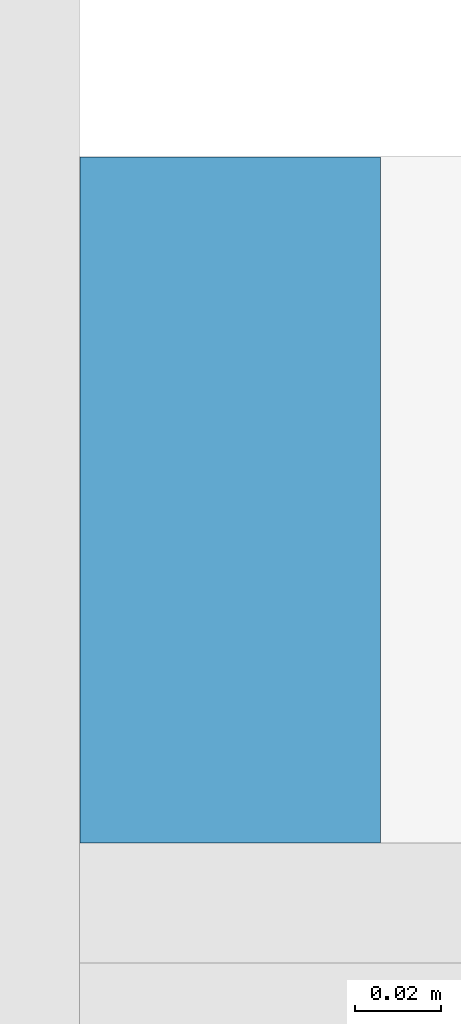
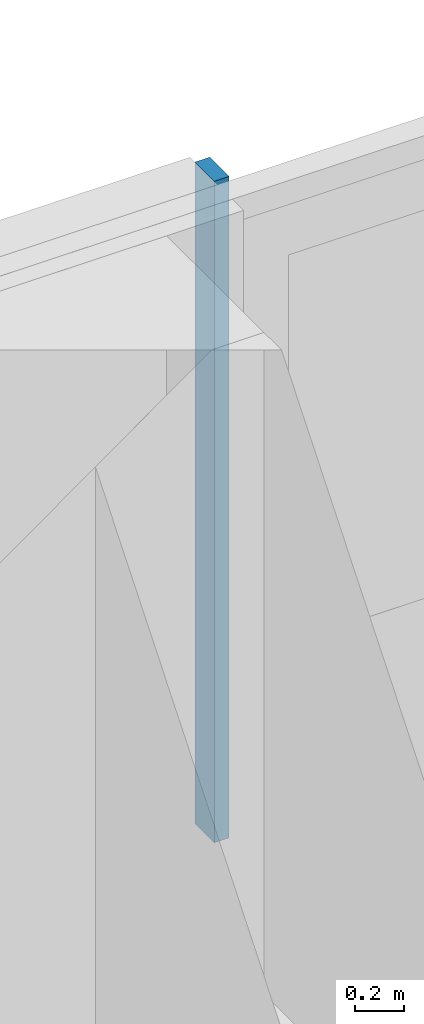
# One storey, part 10 of 29: 1 member, 1 element without a shape of its own.
"""IFC4 building model written with IfcOpenShell, lengths in metres."""

from ifc_helpers import new_model, si_unit, direction, frame, origin, origin_2d, place, context, subcontext, project, spatial, rectangle, extrude, material, material_profile, profile_set, type_object, element, aggregate, save


model = new_model("IFC4")

# Units and contexts
model_context = context("Model", 3, precision=1e-05, world=origin(), true_north=direction((0.0, 1.0)))
body_context = subcontext(model_context, "Body", "Model", "MODEL_VIEW")
ifc_project = project(units=[si_unit("LENGTHUNIT", "METRE"), si_unit("AREAUNIT", "SQUARE_METRE"), si_unit("VOLUMEUNIT", "CUBIC_METRE"), si_unit("PLANEANGLEUNIT", "RADIAN"), si_unit("MASSUNIT", "GRAM", prefix="KILO")], contexts=[model_context])

# Site, building, storey
site_placement = place(None, origin())
site = spatial("IfcSite", under=ifc_project, at=site_placement, CompositionType="ELEMENT")
building_placement = place(site_placement, origin())
building = spatial("IfcBuilding", under=site, at=building_placement, Name="Saffron Gate Tower", CompositionType="ELEMENT")
storey_placement = place(building_placement, frame((0.0, 0.0, 161.85009765625)))
storey = spatial("IfcBuildingStorey", under=building, at=storey_placement, Name="L39", CompositionType="ELEMENT", Elevation=161.85009765625)

# Curtain wall, member
ifc_material = material(Name="Aluminium, bronze anodised", Category="aluminium")
curtain_wall_type = type_object("IfcCurtainWallType", Name="CWS3 curtain wall rear facade", PredefinedType="NOTDEFINED", material=ifc_material)
curtain_wall_placement = place(storey_placement, origin())
curtain_wall = element("IfcCurtainWall", 1, at=curtain_wall_placement, inside=storey, type_object=curtain_wall_type, Name="CWS3 run 7", PredefinedType="NOTDEFINED")
ifc_material_profile = material_profile(ifc_material, rectangle(XDim=0.159912109375, YDim=0.070068359375, at=origin_2d()))
ifc_profile_set = profile_set([ifc_material_profile], Name="Aluminium, bronze anodised")
member_type = type_object("IfcMemberType", Name="CWS3 mullion 70x160", PredefinedType="MULLION", material=ifc_profile_set)
member_placement = place(storey_placement, frame((108.60009765625, 75.52001953125, 0.0), z_axis=(0.0, 0.0, 1.0), x_axis=(0.0, -1.0, 0.0)))
member = element("IfcMember", 2, at=member_placement, type_object=member_type, Name="CWS3 mullion 3", PredefinedType="MULLION", context=body_context, shape_type="SweptSolid", body=[
    extrude(rectangle(XDim=0.159912109375, YDim=0.070068359375, at=origin_2d()), origin(), (0.0, 0.0, 1.0), 3.31982421875),
])
aggregate(curtain_wall, [member])

save(model, "model.ifc")
